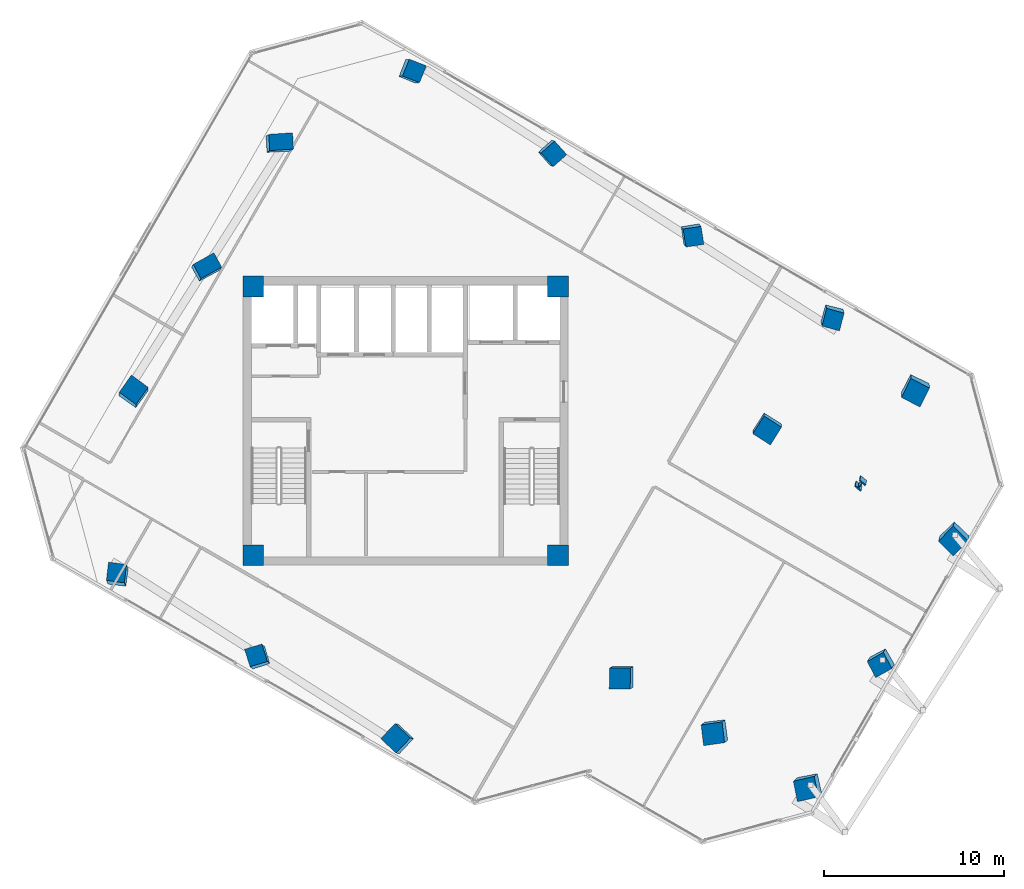
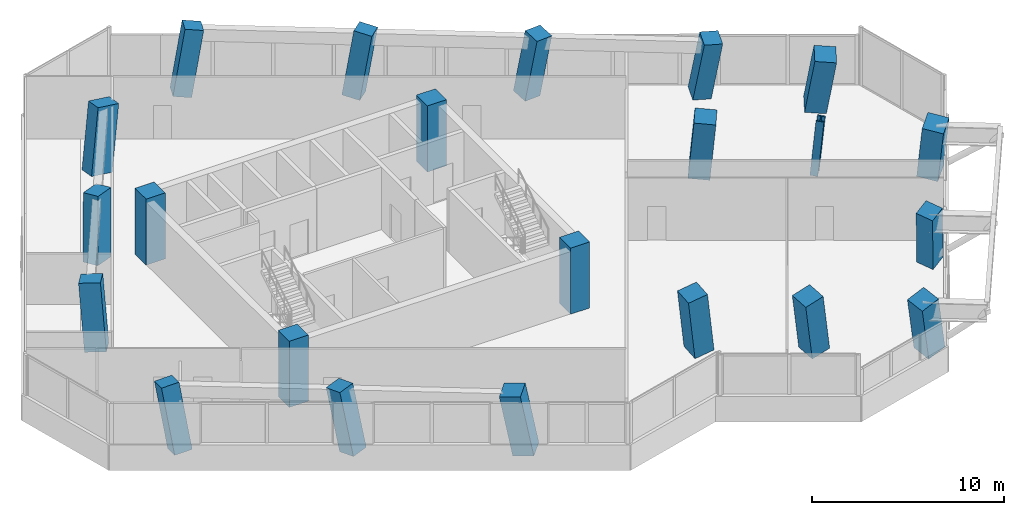
# One storey, part 1 of 22: 22 columns.
"""IFC4 building model written with IfcOpenShell, lengths in metres."""

from ifc_helpers import new_model, si_unit, direction, frame, origin, origin_2d, place, context, subcontext, project, spatial, rectangle, i_section, extrude, clip, halfspace, source, transform, mapped, material, material_profile, profile_set, type_object, element, save


model = new_model("IFC4")

# Units and contexts
model_context = context("Model", 3, precision=1e-05, world=origin(), true_north=direction((0.0, 1.0)))
body_context = subcontext(model_context, "Body", "Model", "MODEL_VIEW")
ifc_project = project(units=[si_unit("LENGTHUNIT", "METRE"), si_unit("AREAUNIT", "SQUARE_METRE"), si_unit("VOLUMEUNIT", "CUBIC_METRE"), si_unit("PLANEANGLEUNIT", "RADIAN"), si_unit("MASSUNIT", "GRAM", prefix="KILO")], contexts=[model_context])

# Site, building, storey
site_placement = place(None, origin())
site = spatial("IfcSite", under=ifc_project, at=site_placement, CompositionType="ELEMENT")
building_placement = place(site_placement, origin())
building = spatial("IfcBuilding", under=site, at=building_placement, Name="Torre Montelarca", CompositionType="ELEMENT")
storey_placement = place(building_placement, frame((0.0, 0.0, 183.39990234375)))
storey = spatial("IfcBuildingStorey", under=building, at=storey_placement, Name="L41", CompositionType="ELEMENT", Elevation=183.39990234375)

# Columns
ifc_material_1 = material(Name="Concrete C55/67", Category="concrete")
ifc_material_profile_1 = material_profile(ifc_material_1, rectangle(XDim=0.89990234375, YDim=1.300048828125, at=origin_2d()), Name="RC1300X900", Category="concrete")
ifc_profile_set_1 = profile_set([ifc_material_profile_1], Name="Concrete C55/67")
column_type_1 = type_object("IfcColumnType", Name="COL-PIL1300-EXT", PredefinedType="PILASTER", material=ifc_profile_set_1)
column_1_placement = place(storey_placement, frame((6.907470703125, 40.425048828125, 0.0), z_axis=(0.089433565091, 0.147376438249, 0.985028843681), x_axis=(0.484857640609, -0.870335294047, 0.086194804246)))
element("IfcColumn", 1, at=column_1_placement, inside=storey, type_object=column_type_1, Name="L41 Column 1W/E", PredefinedType="PILASTER", context=body_context, shape_type="Clipping", body=[
    clip(clip(extrude(rectangle(XDim=0.89990234375, YDim=1.300048828125, at=origin_2d()), origin(), (0.0, 0.0, 1.0), 4.263916015625), halfspace(frame((0.0, 0.0, 0.138671875), z_axis=(0.0, 0.0, -1.0), x_axis=(1.0, 0.0, 0.0)), False)), halfspace(frame((0.0, 0.0, 4.125244140625), z_axis=(0.0, 0.0, 1.0), x_axis=(1.0, 0.0, 0.0)), False)),
])
column_2_placement = place(storey_placement, frame((10.907470703125, 47.353271484375, 0.0), z_axis=(0.158925035216, 0.104542428911, 0.981740145731), x_axis=(0.065841652164, -0.993286617888, 0.095113466792)))
element("IfcColumn", 2, at=column_2_placement, inside=storey, type_object=column_type_1, Name="L41 Column 1W/F", PredefinedType="PILASTER", context=body_context, shape_type="Clipping", body=[
    clip(clip(extrude(rectangle(XDim=0.89990234375, YDim=1.300048828125, at=origin_2d()), origin(), (0.0, 0.0, 1.0), 4.2783203125), halfspace(frame((0.0, 0.0, 0.1533203125), z_axis=(0.0, 0.0, -1.0), x_axis=(1.0, 0.0, 0.0)), False)), halfspace(frame((0.0, 0.0, 4.125), z_axis=(0.0, 0.0, 1.0), x_axis=(1.0, 0.0, 0.0)), False)),
])
ifc_material_profile_2 = material_profile(ifc_material_1, rectangle(XDim=1.0, YDim=1.0, at=origin_2d()), Name="RC1000X1000", Category="concrete")
ifc_profile_set_2 = profile_set([ifc_material_profile_2], Name="Concrete C55/67")
column_type_2 = type_object("IfcColumnType", Name="COL-RC1000-EXT", PredefinedType="COLUMN", material=ifc_profile_set_2)
column_3_placement = place(storey_placement, frame((2.07470703125, 23.3544921875, 0.0), z_axis=(-0.083377991742, 0.19888120018, 0.976470367552), x_axis=(0.98744558757, -0.115433124648, 0.107825810097)))
element("IfcColumn", 3, at=column_3_placement, inside=storey, type_object=column_type_2, Name="L41 Column 2/CS", PredefinedType="COLUMN", context=body_context, shape_type="Clipping", body=[
    clip(clip(extrude(rectangle(XDim=1.0, YDim=1.0, at=origin_2d()), origin(), (0.0, 0.0, 1.0), 4.301513671875), halfspace(frame((0.0, 0.0, 0.151611328125), z_axis=(0.0, 0.0, -1.0), x_axis=(1.0, 0.0, 0.0)), False)), halfspace(frame((0.0, 0.0, 4.14990234375), z_axis=(0.0, 0.0, 1.0), x_axis=(1.0, 0.0, 0.0)), False)),
])
column_4_placement = place(storey_placement, frame((18.249755859375, 51.370361328125, 0.0), z_axis=(0.197798041178, 0.028761304577, 0.979820760275), x_axis=(-0.360195902018, -0.92750800144, 0.099939078612)))
element("IfcColumn", 4, at=column_4_placement, inside=storey, type_object=column_type_2, Name="L41 Column 2/GN", PredefinedType="COLUMN", context=body_context, shape_type="Clipping", body=[
    clip(clip(extrude(rectangle(XDim=1.0, YDim=1.0, at=origin_2d()), origin(), (0.0, 0.0, 1.0), 4.28662109375), halfspace(frame((0.0, 0.0, 0.14013671875), z_axis=(0.0, 0.0, -1.0), x_axis=(1.0, 0.0, 0.0)), False)), halfspace(frame((0.0, 0.0, 4.146484375), z_axis=(0.0, 0.0, 1.0), x_axis=(1.0, 0.0, 0.0)), False)),
])
column_5_placement = place(storey_placement, frame((9.868896484375, 18.8544921875, 0.0), z_axis=(-0.131693763647, 0.121743822321, 0.98378615275), x_axis=(0.949075948953, 0.302015962665, 0.089672746218)))
element("IfcColumn", 5, at=column_5_placement, inside=storey, type_object=column_type_2, Name="L41 Column 3/CS", PredefinedType="COLUMN", context=body_context, shape_type="Clipping", body=[
    clip(clip(extrude(rectangle(XDim=1.0, YDim=1.0, at=origin_2d()), origin(), (0.0, 0.0, 1.0), 4.26953125), halfspace(frame((0.0, 0.0, 0.125244140625), z_axis=(0.0, 0.0, -1.0), x_axis=(1.0, 0.0, 0.0)), False)), halfspace(frame((0.0, 0.0, 4.144287109375), z_axis=(0.0, 0.0, 1.0), x_axis=(1.0, 0.0, 0.0)), False)),
])
column_6_placement = place(storey_placement, frame((26.0439453125, 46.870361328125, 0.0), z_axis=(0.151432058437, -0.049922656628, 0.987206189219), x_axis=(-0.739933914758, -0.667938482795, 0.079724431587)))
element("IfcColumn", 6, at=column_6_placement, inside=storey, type_object=column_type_2, Name="L41 Column 3/GN", PredefinedType="COLUMN", context=body_context, shape_type="Clipping", body=[
    clip(clip(extrude(rectangle(XDim=1.0, YDim=1.0, at=origin_2d()), origin(), (0.0, 0.0, 1.0), 4.254638671875), halfspace(frame((0.0, 0.0, 0.111083984375), z_axis=(0.0, 0.0, -1.0), x_axis=(1.0, 0.0, 0.0)), False)), halfspace(frame((0.0, 0.0, 4.1435546875), z_axis=(0.0, 0.0, 1.0), x_axis=(1.0, 0.0, 0.0)), False)),
])
column_7_placement = place(storey_placement, frame((33.838134765625, 42.370361328125, 0.0), z_axis=(0.103476944298, -0.128701240969, 0.986269999834), x_axis=(-0.98392787464, -0.158328979187, 0.082570405455)))
element("IfcColumn", 7, at=column_7_placement, inside=storey, type_object=column_type_2, Name="L41 Column 4/GN", PredefinedType="COLUMN", context=body_context, shape_type="Clipping", body=[
    clip(clip(extrude(rectangle(XDim=1.0, YDim=1.0, at=origin_2d()), origin(), (0.0, 0.0, 1.0), 4.258544921875), halfspace(frame((0.0, 0.0, 0.114990234375), z_axis=(0.0, 0.0, -1.0), x_axis=(1.0, 0.0, 0.0)), False)), halfspace(frame((0.0, 0.0, 4.1435546875), z_axis=(0.0, 0.0, 1.0), x_axis=(1.0, 0.0, 0.0)), False)),
])
column_8_placement = place(storey_placement, frame((41.63232421875, 37.870361328125, 0.0), z_axis=(0.055146883204, -0.205593941504, 0.977082367301), x_axis=(-0.963025410697, 0.247496558509, 0.106430784445)))
element("IfcColumn", 8, at=column_8_placement, inside=storey, type_object=column_type_2, Name="L41 Column 5/GN", PredefinedType="COLUMN", context=body_context, shape_type="Clipping", body=[
    clip(clip(extrude(rectangle(XDim=1.0, YDim=1.0, at=origin_2d()), origin(), (0.0, 0.0, 1.0), 4.298828125), halfspace(frame((0.0, 0.0, 0.149658203125), z_axis=(0.0, 0.0, -1.0), x_axis=(1.0, 0.0, 0.0)), False)), halfspace(frame((0.0, 0.0, 4.149169921875), z_axis=(0.0, 0.0, 1.0), x_axis=(1.0, 0.0, 0.0)), False)),
])
column_9_placement = place(storey_placement, frame((44.44970703125, 18.75, 0.0), z_axis=(-0.137694978476, -0.226857660916, 0.964145058892), x_axis=(-0.490193679652, 0.861454630306, 0.132687890757)))
element("IfcColumn", 9, at=column_9_placement, inside=storey, type_object=column_type_2, Name="L41 Column 7/E", PredefinedType="COLUMN", context=body_context, shape_type="Clipping", body=[
    clip(clip(extrude(rectangle(XDim=1.0, YDim=1.0, at=origin_2d()), origin(), (0.0, 0.0, 1.0), 4.3564453125), halfspace(frame((0.0, 0.0, 0.188720703125), z_axis=(0.0, 0.0, -1.0), x_axis=(1.0, 0.0, 0.0)), False)), halfspace(frame((0.0, 0.0, 4.167724609375), z_axis=(0.0, 0.0, 1.0), x_axis=(1.0, 0.0, 0.0)), False)),
])
ifc_material_profile_3 = material_profile(ifc_material_1, rectangle(XDim=1.14990234375, YDim=1.14990234375, at=origin_2d()), Name="RC1150X1150", Category="concrete")
ifc_profile_set_3 = profile_set([ifc_material_profile_3], Name="Concrete C55/67")
column_type_3 = type_object("IfcColumnType", Name="COL-RC1150", PredefinedType="COLUMN", material=ifc_profile_set_3)
column_10_placement = place(storey_placement, frame((30.057373046875, 17.82177734375, 0.0), z_axis=(-0.1469926888, -0.084437733161, 0.985526975104), x_axis=(-0.004085638209, 0.996393076163, 0.084759337748)))
element("IfcColumn", 10, at=column_10_placement, inside=storey, type_object=column_type_3, Name="L41 Column 5/D", PredefinedType="COLUMN", context=body_context, shape_type="Clipping", body=[
    clip(clip(extrude(rectangle(XDim=1.14990234375, YDim=1.14990234375, at=origin_2d()), origin(), (0.0, 0.0, 1.0), 4.261962890625), halfspace(frame((0.0, 0.0, 0.135986328125), z_axis=(0.0, 0.0, -1.0), x_axis=(1.0, 0.0, 0.0)), False)), halfspace(frame((0.0, 0.0, 4.1259765625), z_axis=(0.0, 0.0, 1.0), x_axis=(1.0, 0.0, 0.0)), False)),
])
column_11_placement = place(storey_placement, frame((38.057373046875, 31.67822265625, 0.0), z_axis=(-0.00698872096, -0.169390556383, 0.985524224556), x_axis=(-0.844976144841, 0.528043382637, 0.084767332759)))
element("IfcColumn", 11, at=column_11_placement, inside=storey, type_object=column_type_3, Name="L41 Column 5/F", PredefinedType="COLUMN", context=body_context, shape_type="Clipping", body=[
    clip(clip(extrude(rectangle(XDim=1.14990234375, YDim=1.14990234375, at=origin_2d()), origin(), (0.0, 0.0, 1.0), 4.261962890625), halfspace(frame((0.0, 0.0, 0.1357421875), z_axis=(0.0, 0.0, -1.0), x_axis=(1.0, 0.0, 0.0)), False)), halfspace(frame((0.0, 0.0, 4.126220703125), z_axis=(0.0, 0.0, 1.0), x_axis=(1.0, 0.0, 0.0)), False)),
])
column_12_placement = place(storey_placement, frame((35.25341796875, 14.82177734375, 0.0), z_axis=(-0.176908244936, -0.135429437987, 0.974865293361), x_axis=(-0.139385824296, 0.983952324574, 0.111397553608)))
element("IfcColumn", 12, at=column_12_placement, inside=storey, type_object=column_type_3, Name="L41 Column 6/D", PredefinedType="COLUMN", context=body_context, shape_type="Clipping", body=[
    clip(clip(extrude(rectangle(XDim=1.14990234375, YDim=1.14990234375, at=origin_2d()), origin(), (0.0, 0.0, 1.0), 4.30859375), halfspace(frame((0.0, 0.0, 0.180419921875), z_axis=(0.0, 0.0, -1.0), x_axis=(1.0, 0.0, 0.0)), False)), halfspace(frame((0.0, 0.0, 4.128173828125), z_axis=(0.0, 0.0, 1.0), x_axis=(1.0, 0.0, 0.0)), False)),
])
column_13_placement = place(storey_placement, frame((46.25341796875, 33.87451171875, 0.0), z_axis=(0.01345185815, -0.24939407307, 0.968308651118), x_axis=(-0.89084486105, 0.436807560028, 0.124878296924)))
element("IfcColumn", 13, at=column_13_placement, inside=storey, type_object=column_type_3, Name="L41 Column 6/G", PredefinedType="COLUMN", context=body_context, shape_type="Clipping", body=[
    clip(clip(extrude(rectangle(XDim=1.14990234375, YDim=1.14990234375, at=origin_2d()), origin(), (0.0, 0.0, 1.0), 4.337646484375), halfspace(frame((0.0, 0.0, 0.203369140625), z_axis=(0.0, 0.0, -1.0), x_axis=(1.0, 0.0, 0.0)), False)), halfspace(frame((0.0, 0.0, 4.13427734375), z_axis=(0.0, 0.0, 1.0), x_axis=(1.0, 0.0, 0.0)), False)),
])
ifc_material_profile_4 = material_profile(ifc_material_1, rectangle(XDim=1.14990234375, YDim=1.14990234375, at=origin_2d()), Name="RC1150X1150", Category="concrete")
ifc_profile_set_4 = profile_set([ifc_material_profile_4], Name="Concrete C55/67")
column_type_4 = type_object("IfcColumnType", Name="COL-RC1150-EXT", PredefinedType="COLUMN", material=ifc_profile_set_4)
column_14_placement = place(storey_placement, frame((17.6630859375, 14.3544921875, 0.0), z_axis=(-0.179217090192, 0.043076087346, 0.982866056633), x_axis=(0.680215650395, 0.727195359087, 0.092160613493)))
element("IfcColumn", 14, at=column_14_placement, inside=storey, type_object=column_type_4, Name="L41 Column 4/CS", PredefinedType="COLUMN", context=body_context, shape_type="Clipping", body=[
    clip(clip(extrude(rectangle(XDim=1.14990234375, YDim=1.14990234375, at=origin_2d()), origin(), (0.0, 0.0, 1.0), 4.2734375), halfspace(frame((0.0, 0.0, 0.148193359375), z_axis=(0.0, 0.0, -1.0), x_axis=(1.0, 0.0, 0.0)), False)), halfspace(frame((0.0, 0.0, 4.125244140625), z_axis=(0.0, 0.0, 1.0), x_axis=(1.0, 0.0, 0.0)), False)),
])
for number, where, z_axis, x_axis, name in (
    (15, (40.44970703125, 11.82177734375, 0.0), (-0.20551824904, -0.184737387762, 0.961058971591), (-0.221571063236, 0.96530557372, 0.138171680461), "L41 Column 7/D"),
    (16, (48.44970703125, 25.67822265625, 0.0), (-0.068990436468, -0.267582340635, 0.961061918222), (-0.718629272575, 0.681529141902, 0.138166556503), "L41 Column 7/F"),
):
    element("IfcColumn", number, at=place(storey_placement, frame(where, z_axis=z_axis, x_axis=x_axis)), inside=storey, type_object=column_type_4, Name=name, PredefinedType="COLUMN", context=body_context, shape_type="Clipping", body=[
        clip(clip(extrude(rectangle(XDim=1.14990234375, YDim=1.14990234375, at=origin_2d()), origin(), (0.0, 0.0, 1.0), 4.370361328125), halfspace(frame((0.0, 0.0, 0.2265625), z_axis=(0.0, 0.0, -1.0), x_axis=(1.0, 0.0, 0.0)), False)), halfspace(frame((0.0, 0.0, 4.143798828125), z_axis=(0.0, 0.0, 1.0), x_axis=(1.0, 0.0, 0.0)), False)),
    ])
column_15_placement = place(storey_placement, frame((2.907470703125, 33.496826171875, 0.0), z_axis=(0.019402010534, 0.18922666744, 0.981741733002), x_axis=(0.811440649841, -0.576643979736, 0.095109370836)))
element("IfcColumn", 17, at=column_15_placement, inside=storey, type_object=column_type_4, Name="L41 Column 1W/D", PredefinedType="COLUMN", context=body_context, shape_type="Clipping", body=[
    clip(clip(extrude(rectangle(XDim=1.14990234375, YDim=1.14990234375, at=origin_2d()), origin(), (0.0, 0.0, 1.0), 4.2783203125), halfspace(frame((0.0, 0.0, 0.15283203125), z_axis=(0.0, 0.0, -1.0), x_axis=(1.0, 0.0, 0.0)), False)), halfspace(frame((0.0, 0.0, 4.12548828125), z_axis=(0.0, 0.0, 1.0), x_axis=(1.0, 0.0, 0.0)), False)),
])
ifc_material_2 = material(Name="Steel ASTM A992 Grade 50", Category="steel")
ifc_material_profile_5 = material_profile(ifc_material_2, i_section(OverallWidth=0.4208984375, OverallDepth=0.465087890625, WebThickness=0.044921875, FlangeThickness=0.072265625, FilletRadius=0.014892578125, at=origin_2d()), Name="W360X592", Category="steel")
ifc_profile_set_5 = profile_set([ifc_material_profile_5], Name="Steel ASTM A992 Grade 50")
column_type_5 = type_object("IfcColumnType", Name="COL-W360X592", PredefinedType="COLUMN", material=ifc_profile_set_5)
column_16_placement = place(storey_placement, frame((43.25341796875, 28.67822265625, 0.0), z_axis=(-0.038418366003, -0.219517330227, 0.974851871252), x_axis=(-0.769030881338, 0.629424774115, 0.111426914518)))
element("IfcColumn", 18, at=column_16_placement, inside=storey, type_object=column_type_5, Name="L41 Column 6/F", PredefinedType="COLUMN", context=body_context, shape_type="Clipping", body=[
    clip(clip(extrude(i_section(OverallWidth=0.4208984375, OverallDepth=0.465087890625, WebThickness=0.044921875, FlangeThickness=0.072265625, FilletRadius=0.014892578125, at=origin_2d()), origin(), (0.0, 0.0, 1.0), 4.30859375), halfspace(frame((0.0, 0.0, 0.07080078125), z_axis=(0.0, 0.0, -1.0), x_axis=(1.0, 0.0, 0.0)), False)), halfspace(frame((0.0, 0.0, 4.23779296875), z_axis=(0.0, 0.0, 1.0), x_axis=(1.0, 0.0, 0.0)), False)),
])
shared_shape = source(origin(), body_context, "Body", "SweptSolid", [
    extrude(rectangle(XDim=1.14990234375, YDim=1.14990234375, at=origin_2d()), origin(), (0.0, 0.0, 1.0), 4.19873046875),
])
for number, where, z_axis, x_axis, name in (
    (19, (9.550048828125, 24.550048828125, 0.000732421875), (0.0, 0.0, 1.0), (1.0, 0.0, 0.0), "L41 Plumb Core Corner Column 2D"),
    (20, (26.449951171875, 24.550048828125, 0.000732421875), (0.0, 0.0, 1.0), (1.0, 0.0, 0.0), "L41 Plumb Core Corner Column 4D"),
    (21, (9.550048828125, 39.449951171875, 0.000732421875), (0.0, 0.0, 1.0), (1.0, 0.0, 0.0), "L41 Plumb Core Corner Column 2F"),
    (22, (26.449951171875, 39.449951171875, 0.000732421875), (0.0, 0.0, 1.0), (1.0, 0.0, 0.0), "L41 Plumb Core Corner Column 4F"),
):
    element("IfcColumn", number, at=place(storey_placement, frame(where, z_axis=z_axis, x_axis=x_axis)), inside=storey, type_object=column_type_3, Name=name, PredefinedType="COLUMN", context=body_context, shape_type="MappedRepresentation", body=[
        mapped(shared_shape, transform((0.0, 0.0, 0.0), scale=1.0)),
    ])

save(model, "model.ifc")
